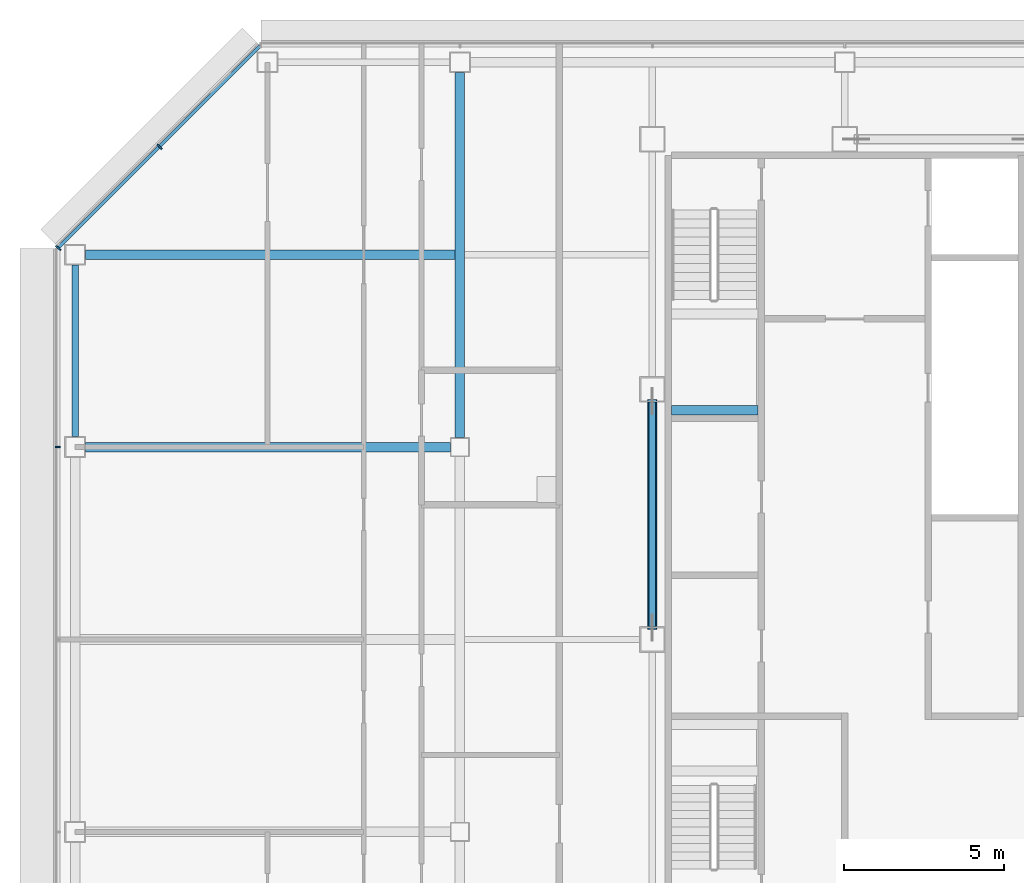
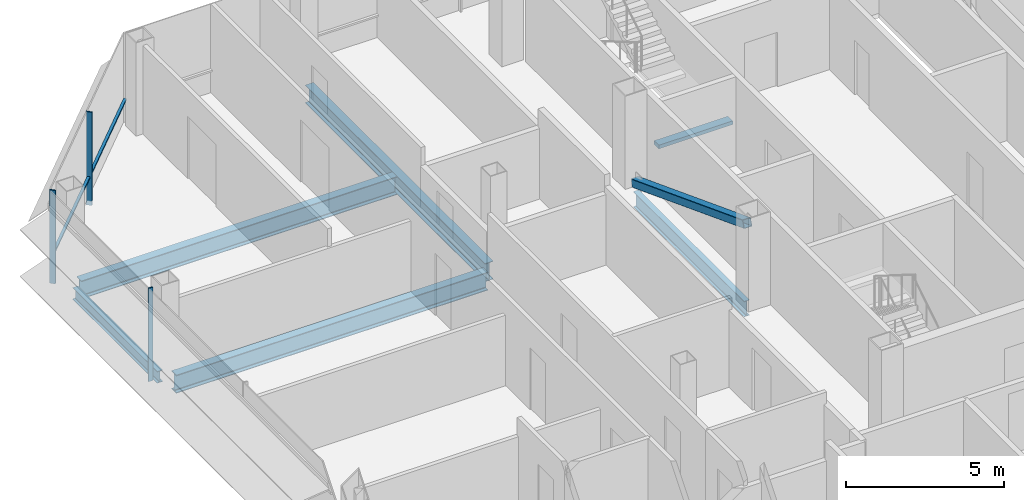
# One storey, part 11 of 26: 6 beams, 5 members, 2 elements without a shape of their own.
"""IFC4 building model written with IfcOpenShell, lengths in metres."""

from ifc_helpers import new_model, si_unit, direction, frame, origin, origin_2d, place, context, subcontext, project, spatial, rectangle, hollow_rectangle, i_section, extrude, material, material_profile, profile_set, type_object, element, aggregate, save


model = new_model("IFC4")

# Units and contexts
model_context = context("Model", 3, precision=1e-05, world=origin(), true_north=direction((0.0, 1.0)))
body_context = subcontext(model_context, "Body", "Model", "MODEL_VIEW")
ifc_project = project(units=[si_unit("LENGTHUNIT", "METRE"), si_unit("AREAUNIT", "SQUARE_METRE"), si_unit("VOLUMEUNIT", "CUBIC_METRE"), si_unit("PLANEANGLEUNIT", "RADIAN"), si_unit("MASSUNIT", "GRAM", prefix="KILO")], contexts=[model_context])

# Site, building, storey
site_placement = place(None, origin())
site = spatial("IfcSite", under=ifc_project, at=site_placement, CompositionType="ELEMENT")
building_placement = place(site_placement, origin())
building = spatial("IfcBuilding", under=site, at=building_placement, Name="Sorahane Residences", CompositionType="ELEMENT")
storey_placement = place(building_placement, frame((0.0, 0.0, 219.0)))
storey = spatial("IfcBuildingStorey", under=building, at=storey_placement, Name="L51", CompositionType="ELEMENT", Elevation=219.0)

# Member
ifc_material_1 = material(Name="Steel Q355B", Category="steel")
ifc_material_profile_1 = material_profile(ifc_material_1, hollow_rectangle(XDim=0.300048828125, YDim=0.300048828125, WallThickness=0.01611328125, InnerFilletRadius=0.008056640625, OuterFilletRadius=0.02392578125, at=origin_2d()), Name="RHS 300x300x16")
ifc_profile_set_1 = profile_set([ifc_material_profile_1], Name="Steel Q355B")
member_type_1 = type_object("IfcMemberType", Name="Core brace RHS 300x300x16 Q355B", PredefinedType="BRACE", material=ifc_profile_set_1)
member_1_placement = place(storey_placement, frame((6.0, 37.43212890625, 0.1376953125), z_axis=(0.0, -0.934335722983, 0.356394103147), x_axis=(1.0, 0.0, 0.0)))
element("IfcMember", 1, at=member_1_placement, inside=storey, type_object=member_type_1, Name="Core brace L51 x6-2", PredefinedType="BRACE", context=body_context, shape_type="SweptSolid", body=[
    extrude(hollow_rectangle(XDim=0.300048828125, YDim=0.300048828125, WallThickness=0.01611328125, InnerFilletRadius=0.008056640625, OuterFilletRadius=0.02392578125, at=origin_2d()), origin(), (0.0, 0.0, 1.0), 7.560791015625),
])

# Curtain wall, member
ifc_material_2 = material(Name="Dark low-e glass and black anodised aluminium", Category="aluminium")
curtain_wall_type_1 = type_object("IfcCurtainWallType", Name="Curtain wall CW-1 Typical unitised wall", PredefinedType="NOTDEFINED", material=ifc_material_2)
curtain_wall_1_placement = place(storey_placement, origin())
curtain_wall_1 = element("IfcCurtainWall", 2, at=curtain_wall_1_placement, inside=storey, type_object=curtain_wall_type_1, Name="CW-1 curtain wall L51 W1", PredefinedType="NOTDEFINED")
ifc_material_3 = material(Name="Black anodised aluminium", Category="aluminium")
ifc_material_profile_2 = material_profile(ifc_material_3, rectangle(XDim=0.159912109375, YDim=0.050048828125, at=origin_2d()), Name="Curtain wall mullion CW-1 black anodised aluminium 50x160")
ifc_profile_set_2 = profile_set([ifc_material_profile_2], Name="Black anodised aluminium")
member_type_2 = type_object("IfcMemberType", Name="Curtain wall mullion CW-1 black anodised aluminium 50x160", PredefinedType="MULLION", material=ifc_profile_set_2)
member_2_placement = place(storey_placement, frame((-12.5400390625, 36.0, -0.179931640625), z_axis=(0.0, 0.0, 1.0), x_axis=(-1.0, 0.0, 0.0)))
member_2 = element("IfcMember", 3, at=member_2_placement, type_object=member_type_2, Name="CW-1 mullion L51 W1.2", PredefinedType="MULLION", context=body_context, shape_type="SweptSolid", body=[
    extrude(rectangle(XDim=0.159912109375, YDim=0.050048828125, at=origin_2d()), origin(), (0.0, 0.0, 1.0), 3.599853515625),
])
aggregate(curtain_wall_1, [member_2])

# Curtain wall, members
ifc_material_4 = material(Name="Dark low-e glass and black anodised aluminium", Category="aluminium")
curtain_wall_type_2 = type_object("IfcCurtainWallType", Name="Curtain wall CW-2 Chamfer unitised wall", PredefinedType="NOTDEFINED", material=ifc_material_4)
curtain_wall_2_placement = place(storey_placement, origin())
curtain_wall_2 = element("IfcCurtainWall", 4, at=curtain_wall_2_placement, inside=storey, type_object=curtain_wall_type_2, Name="CW-2 curtain wall L51 NW1", PredefinedType="NOTDEFINED")
ifc_material_5 = material(Name="Black anodised aluminium", Category="aluminium")
ifc_material_profile_3 = material_profile(ifc_material_5, rectangle(XDim=0.199951171875, YDim=0.050048828125, at=origin_2d()), Name="Curtain wall mullion CW-2 black anodised aluminium 50x200")
ifc_profile_set_3 = profile_set([ifc_material_profile_3], Name="Black anodised aluminium")
member_type_3 = type_object("IfcMemberType", Name="Curtain wall mullion CW-2 black anodised aluminium 50x200", PredefinedType="MULLION", material=ifc_profile_set_3)
member_3_placement = place(storey_placement, frame((-9.36767578125, 45.36767578125, -0.179931640625), z_axis=(0.0, 0.0, 1.0), x_axis=(-0.707106781187, 0.707106781187, 0.0)))
member_3 = element("IfcMember", 5, at=member_3_placement, type_object=member_type_3, Name="CW-2 mullion L51 NW1.2", PredefinedType="MULLION", context=body_context, shape_type="SweptSolid", body=[
    extrude(rectangle(XDim=0.199951171875, YDim=0.050048828125, at=origin_2d()), origin(), (0.0, 0.0, 1.0), 3.599853515625),
])
member_4_placement = place(storey_placement, frame((-12.525634765625, 42.209716796875, -0.179931640625), z_axis=(0.0, 0.0, 1.0), x_axis=(-0.707106781187, 0.707106781187, 0.0)))
member_4 = element("IfcMember", 6, at=member_4_placement, type_object=member_type_3, Name="CW-2 mullion L51 NW1.3", PredefinedType="MULLION", context=body_context, shape_type="SweptSolid", body=[
    extrude(rectangle(XDim=0.199951171875, YDim=0.050048828125, at=origin_2d()), origin(), (0.0, 0.0, 1.0), 3.599853515625),
])
ifc_material_6 = material(Name="Black anodised aluminium", Category="aluminium")
ifc_material_profile_4 = material_profile(ifc_material_6, rectangle(XDim=0.10009765625, YDim=0.06005859375, at=origin_2d()), Name="Curtain wall transom CW-2 black anodised aluminium 60x100")
ifc_profile_set_4 = profile_set([ifc_material_profile_4], Name="Black anodised aluminium")
member_type_4 = type_object("IfcMemberType", Name="Curtain wall transom CW-2 black anodised aluminium 60x100", PredefinedType="USERDEFINED", material=ifc_profile_set_4)
member_5_placement = place(storey_placement, frame((-6.234375, 48.51513671875, 0.89990234375), z_axis=(-0.707106781187, -0.707106781187, 0.0), x_axis=(0.707106781187, -0.707106781187, 0.0)))
member_5 = element("IfcMember", 7, at=member_5_placement, type_object=member_type_4, Name="CW-2 transom L51 NW1", ObjectType="TRANSOM", PredefinedType="USERDEFINED", context=body_context, shape_type="SweptSolid", body=[
    extrude(rectangle(XDim=0.10009765625, YDim=0.06005859375, at=origin_2d()), origin(), (0.0, 0.0, 1.0), 8.88232421875),
])
aggregate(curtain_wall_2, [member_3, member_4, member_5])

# Beams
ifc_material_7 = material(Name="Concrete C40", Category="concrete")
ifc_material_profile_5 = material_profile(ifc_material_7, rectangle(XDim=0.300048828125, YDim=0.139892578125, at=origin_2d()), Name="300x140")
ifc_profile_set_5 = profile_set([ifc_material_profile_5], Name="Concrete C40")
beam_type_1 = type_object("IfcBeamType", Name="RC landing beam 300 x 140 Concrete C40", PredefinedType="BEAM", material=ifc_profile_set_5)
beam_1_placement = place(storey_placement, frame((6.60009765625, 37.14990234375, 1.530029296875), z_axis=(1.0, 0.0, 0.0), x_axis=(0.0, 1.0, 0.0)))
element("IfcBeam", 8, at=beam_1_placement, inside=storey, type_object=beam_type_1, Name="Landing beam", PredefinedType="BEAM", context=body_context, shape_type="SweptSolid", body=[
    extrude(rectangle(XDim=0.300048828125, YDim=0.139892578125, at=origin_2d()), origin(), (0.0, 0.0, 1.0), 2.699951171875),
])
ifc_material_8 = material(Name="Steel Q355B", Category="steel")
ifc_material_profile_6 = material_profile(ifc_material_8, i_section(OverallWidth=0.199951171875, OverallDepth=0.449951171875, WebThickness=0.009033203125, FlangeThickness=0.013916015625, FilletRadius=0.02001953125, at=origin_2d()), Name="HN 450x200x9x14")
ifc_profile_set_6 = profile_set([ifc_material_profile_6], Name="Steel Q355B")
beam_type_2 = type_object("IfcBeamType", Name="Steel floor beam HN 450x200x9x14 Q355B", PredefinedType="BEAM", material=ifc_profile_set_6)
beam_2_placement = place(storey_placement, frame((-12.0, 36.324951171875, -0.405029296875), z_axis=(0.0, 1.0, 0.0), x_axis=(-1.0, 0.0, 0.0)))
element("IfcBeam", 9, at=beam_2_placement, inside=storey, type_object=beam_type_2, Name="Beam L51 023", PredefinedType="BEAM", context=body_context, shape_type="SweptSolid", body=[
    extrude(i_section(OverallWidth=0.199951171875, OverallDepth=0.449951171875, WebThickness=0.009033203125, FlangeThickness=0.013916015625, FilletRadius=0.02001953125, at=origin_2d()), origin(), (0.0, 0.0, 1.0), 5.35009765625),
])
ifc_material_9 = material(Name="Steel Q355B", Category="steel")
ifc_material_profile_7 = material_profile(ifc_material_9, i_section(OverallWidth=0.199951171875, OverallDepth=0.60009765625, WebThickness=0.010986328125, FlangeThickness=0.01708984375, FilletRadius=0.02392578125, at=origin_2d()), Name="HN 600x200x11x17")
ifc_profile_set_7 = profile_set([ifc_material_profile_7], Name="Steel Q355B")
beam_type_3 = type_object("IfcBeamType", Name="Steel floor beam HN 600x200x11x17 Q355B", PredefinedType="BEAM", material=ifc_profile_set_7)
beam_3_placement = place(storey_placement, frame((6.0, 30.39990234375, -0.47998046875), z_axis=(0.0, 1.0, 0.0), x_axis=(-1.0, 0.0, 0.0)))
element("IfcBeam", 10, at=beam_3_placement, inside=storey, type_object=beam_type_3, Name="Beam L51 031", PredefinedType="BEAM", context=body_context, shape_type="SweptSolid", body=[
    extrude(i_section(OverallWidth=0.199951171875, OverallDepth=0.60009765625, WebThickness=0.010986328125, FlangeThickness=0.01708984375, FilletRadius=0.02392578125, at=origin_2d()), origin(), (0.0, 0.0, 1.0), 7.0),
])
ifc_material_10 = material(Name="Steel Q355B", Category="steel")
ifc_material_profile_8 = material_profile(ifc_material_10, i_section(OverallWidth=0.300048828125, OverallDepth=0.699951171875, WebThickness=0.012939453125, FlangeThickness=0.02392578125, FilletRadius=0.028076171875, at=origin_2d()), Name="HN 700x300x13x24")
ifc_profile_set_8 = profile_set([ifc_material_profile_8], Name="Steel Q355B")
beam_type_4 = type_object("IfcBeamType", Name="Steel floor beam HN 700x300x13x24 Q355B", PredefinedType="BEAM", material=ifc_profile_set_8)
for number, where, z_axis, x_axis, name in (
    (11, (-11.675048828125, 36.0, -0.530029296875), (1.0, 0.0, 0.0), (0.0, 1.0, 0.0), "Beam L51 013"),
    (12, (0.0, 36.300048828125, -0.530029296875), (0.0, 1.0, 0.0), (-1.0, 0.0, 0.0), "Beam L51 027"),
):
    element("IfcBeam", number, at=place(storey_placement, frame(where, z_axis=z_axis, x_axis=x_axis)), inside=storey, type_object=beam_type_4, Name=name, PredefinedType="BEAM", context=body_context, shape_type="SweptSolid", body=[
        extrude(i_section(OverallWidth=0.300048828125, OverallDepth=0.699951171875, WebThickness=0.012939453125, FlangeThickness=0.02392578125, FilletRadius=0.028076171875, at=origin_2d()), origin(), (0.0, 0.0, 1.0), 11.375),
    ])
beam_4_placement = place(storey_placement, frame((-11.675048828125, 42.0, -0.530029296875), z_axis=(1.0, 0.0, 0.0), x_axis=(0.0, 1.0, 0.0)))
element("IfcBeam", 13, at=beam_4_placement, inside=storey, type_object=beam_type_4, Name="Beam L51 089", PredefinedType="BEAM", context=body_context, shape_type="SweptSolid", body=[
    extrude(i_section(OverallWidth=0.300048828125, OverallDepth=0.699951171875, WebThickness=0.012939453125, FlangeThickness=0.02392578125, FilletRadius=0.028076171875, at=origin_2d()), origin(), (0.0, 0.0, 1.0), 11.525146484375),
])

save(model, "model.ifc")
